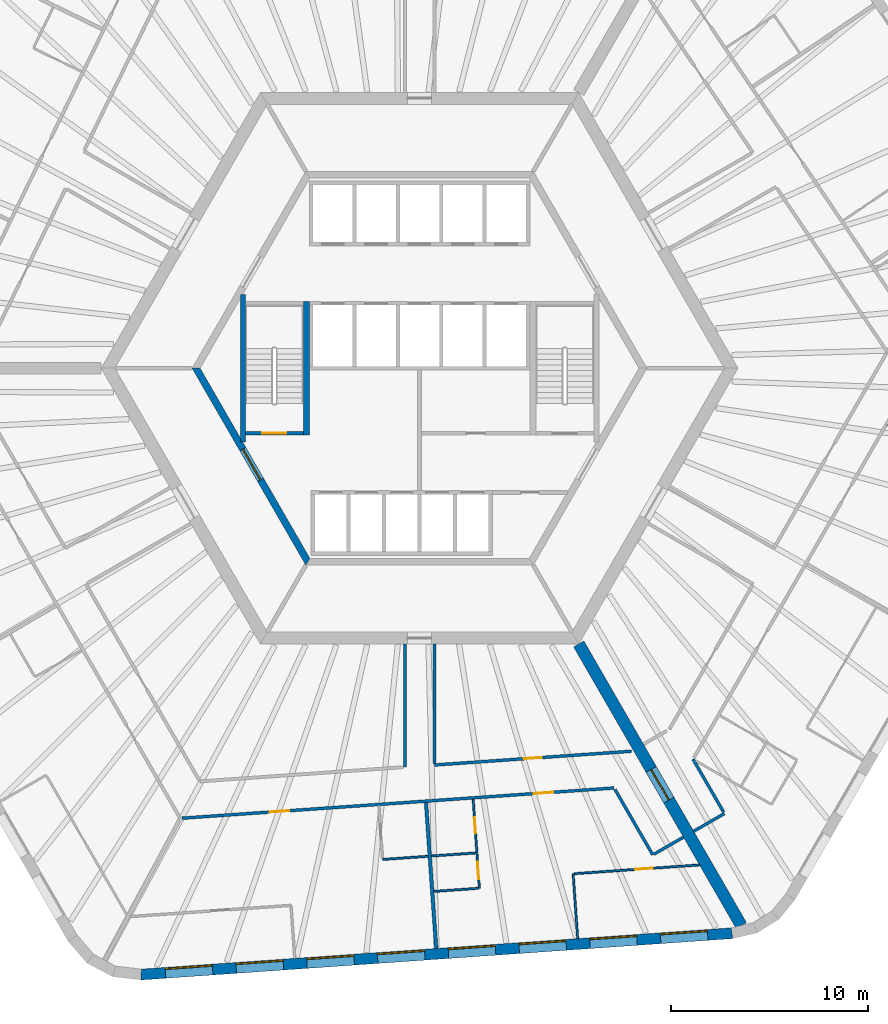
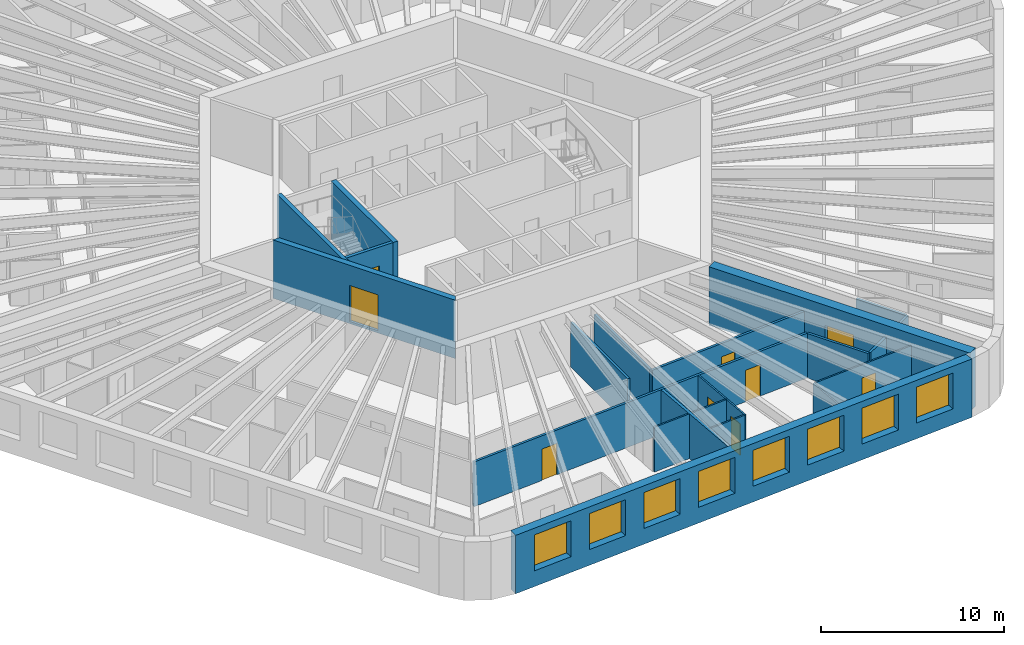
# One storey, part 4 of 12: 22 walls, 9 doors, 8 windows, 17 openings.
"""IFC4 building model written with IfcOpenShell, lengths in metres."""

from ifc_helpers import new_model, si_unit, direction, frame, frame_2d, origin, place, context, subcontext, project, spatial, polyline, rectangle, outline, extrude, material, layer, layer_set, type_object, element, fill, save


model = new_model("IFC4")

# Units and contexts
model_context = context("Model", 3, precision=1e-05, world=origin(), true_north=direction((0.0, 1.0)))
body_context = subcontext(model_context, "Body", "Model", "MODEL_VIEW")
ifc_project = project(units=[si_unit("LENGTHUNIT", "METRE"), si_unit("AREAUNIT", "SQUARE_METRE"), si_unit("VOLUMEUNIT", "CUBIC_METRE"), si_unit("PLANEANGLEUNIT", "RADIAN"), si_unit("MASSUNIT", "GRAM", prefix="KILO")], contexts=[model_context])

# Site, building, storey
site_placement = place(None, origin())
site = spatial("IfcSite", under=ifc_project, at=site_placement, CompositionType="ELEMENT")
building_placement = place(site_placement, origin())
building = spatial("IfcBuilding", under=site, at=building_placement, Name="Tarnside Tower", CompositionType="ELEMENT")
storey_placement = place(building_placement, frame((0.0, 0.0, 64.800048828125)))
storey = spatial("IfcBuildingStorey", under=building, at=storey_placement, Name="L13", CompositionType="ELEMENT", Elevation=64.800048828125)

# Wall
ifc_material_1 = material(Name="Gypsum board partition on steel studs", Category="steel")
ifc_layer_1 = layer(ifc_material_1, 0.10009765625)
ifc_layer_set_1 = layer_set([ifc_layer_1], Name="Bathroom wall 100")
wall_type_1 = type_object("IfcWallType", Name="Bathroom wall 100", PredefinedType="PARTITIONING", material=ifc_layer_set_1)
wall_1_placement = place(storey_placement, frame((0.428466796875, -24.780517578125, 0.0), z_axis=(0.0, 0.0, 1.0), x_axis=(-0.997563824095, -0.069759707979, 0.0)))
element("IfcWall", 1, at=wall_1_placement, inside=storey, type_object=wall_type_1, Name="Bathroom wall 03111", PredefinedType="PARTITIONING", context=body_context, shape_type="SweptSolid", body=[
    extrude(rectangle(XDim=2.309814453125, YDim=0.10009765625, at=frame_2d((1.15478515625, 0.0))), origin(), (0.0, 0.0, 1.0), 2.98779296875),
])

# Wall, opening, door
wall_2_placement = place(storey_placement, frame((2.722412109375, -21.888427734375, 0.0), z_axis=(0.0, 0.0, 1.0), x_axis=(0.069706086879, -0.997567572374, 0.0)))
wall_2 = element("IfcWall", 2, at=wall_2_placement, inside=storey, type_object=wall_type_1, Name="Bathroom wall 03118", PredefinedType="PARTITIONING", context=body_context, shape_type="SweptSolid", body=[
    extrude(rectangle(XDim=2.724853515625, YDim=0.10009765625, at=frame_2d((1.3623046875, 0.0))), origin(), (0.0, 0.0, 1.0), 2.98779296875),
])
opening_1_placement = place(wall_2_placement, frame((0.925048828125, 0.0, 0.0)))
opening_1 = element("IfcOpeningElement", 3, at=opening_1_placement, cuts=wall_2, Name="Opening D-B1", PredefinedType="OPENING", context=body_context, shape_type="SweptSolid", body=[
    extrude(rectangle(XDim=0.800048828125, YDim=2.10009765625, at=frame_2d((0.39990234375, 1.050048828125))), frame((0.0, 0.06005859375, 0.0), z_axis=(0.0, -1.0, 0.0), x_axis=(1.0, 0.0, 0.0)), (0.0, 0.0, 1.0), 0.1201171875),
])
ifc_material_2 = material(Name="Timber door leaf", Category="wood")
door_type_1 = type_object("IfcDoorType", Name="Bathroom door 800", OperationType="NOTDEFINED", PredefinedType="DOOR", material=ifc_material_2)
door_1_placement = place(opening_1_placement, origin())
door_1 = element("IfcDoor", 4, at=door_1_placement, inside=storey, type_object=door_type_1, Name="Bathroom door 03023", OperationType="SINGLE_SWING_RIGHT", OverallHeight=2.10009765625, OverallWidth=0.800048828125, PredefinedType="DOOR", context=body_context, shape_type="SweptSolid", body=[
    extrude(rectangle(XDim=0.800048828125, YDim=2.10009765625, at=frame_2d((0.39990234375, 1.050048828125))), frame((0.0, 0.02490234375, 0.0), z_axis=(0.0, -1.0, 0.0), x_axis=(1.0, 0.0, 0.0)), (0.0, 0.0, 1.0), 0.050048828125),
])
fill(opening_1, door_1)

# Wall
wall_3_placement = place(storey_placement, frame((0.608154296875, -24.767822265625, 0.0), z_axis=(0.0, 0.0, 1.0), x_axis=(0.997569341134, 0.069680769442, 0.0)))
element("IfcWall", 5, at=wall_3_placement, inside=storey, type_object=wall_type_1, Name="Bathroom wall 03123", PredefinedType="PARTITIONING", context=body_context, shape_type="SweptSolid", body=[
    extrude(rectangle(XDim=2.259765625, YDim=0.10009765625, at=frame_2d((1.1298828125, 0.0))), origin(), (0.0, 0.0, 1.0), 2.98779296875),
])

# Wall, opening, door
ifc_material_3 = material(Name="Concrete C50/60", Category="concrete")
ifc_layer_2 = layer(ifc_material_3, 0.35009765625)
ifc_layer_set_2 = layer_set([ifc_layer_2], Name="Core block wall 350 C50/60")
wall_type_2 = type_object("IfcWallType", Name="Core block wall 350 C50/60", PredefinedType="SHEAR", material=ifc_layer_set_2)
wall_4_placement = place(storey_placement, frame((-11.344970703125, 0.0, -0.150146484375), z_axis=(0.0, 0.0, 1.0), x_axis=(0.499995046907, -0.866028263435, 0.0)))
wall_4 = element("IfcWall", 6, at=wall_4_placement, inside=storey, type_object=wall_type_2, Name="L13 core block wall face 3", PredefinedType="SHEAR", context=body_context, shape_type="SweptSolid", body=[
    extrude(outline(polyline([(-0.10107421875, -0.175048828125), (11.44580078125, -0.175048828125), (11.24365234375, 0.175048828125), (0.10107421875, 0.175048828125), (-0.10107421875, -0.175048828125)])), origin(), (0.0, 0.0, 1.0), 3.900146484375),
])
opening_2_placement = place(wall_4_placement, frame((4.74365234375, 0.0, 0.14990234375)))
opening_2 = element("IfcOpeningElement", 7, at=opening_2_placement, cuts=wall_4, Name="Opening CD-FFL", PredefinedType="OPENING", context=body_context, shape_type="SweptSolid", body=[
    extrude(rectangle(XDim=1.800048828125, YDim=2.39990234375, at=frame_2d((0.89990234375, 1.199951171875))), frame((0.0, 0.18505859375, 0.0), z_axis=(0.0, -1.0, 0.0), x_axis=(1.0, 0.0, 0.0)), (0.0, 0.0, 1.0), 0.3701171875),
])
ifc_material_4 = material(Name="Steel fire door", Category="steel")
door_type_2 = type_object("IfcDoorType", Name="Firefighting lobby double door FD60S 1800x2400", OperationType="NOTDEFINED", PredefinedType="DOOR", material=ifc_material_4)
door_2_placement = place(opening_2_placement, origin())
door_2 = element("IfcDoor", 8, at=door_2_placement, inside=storey, type_object=door_type_2, Name="L13 lobby block door P3", OperationType="DOUBLE_DOOR_SINGLE_SWING", OverallHeight=2.39990234375, OverallWidth=1.800048828125, PredefinedType="DOOR", context=body_context, shape_type="SweptSolid", body=[
    extrude(rectangle(XDim=1.800048828125, YDim=2.39990234375, at=frame_2d((0.89990234375, 1.199951171875))), frame((0.0, 0.02490234375, 0.0), z_axis=(0.0, -1.0, 0.0), x_axis=(1.0, 0.0, 0.0)), (0.0, 0.0, 1.0), 0.050048828125),
])
fill(opening_2, door_2)

ifc_material_5 = material(Name="Concrete C80/95", Category="concrete")
ifc_layer_3 = layer(ifc_material_5, 0.60009765625)
ifc_layer_set_3 = layer_set([ifc_layer_3], Name="Core wall Z1 600 C80/95")
wall_type_3 = type_object("IfcWallType", Name="Core wall Z1 600 C80/95", PredefinedType="SHEAR", material=ifc_layer_set_3)
wall_5_placement = place(storey_placement, frame((8.0830078125, -14.0, -0.150146484375), z_axis=(0.0, 0.0, 1.0), x_axis=(0.499997680643, -0.866026742862, 0.0)))
wall_5 = element("IfcWall", 9, at=wall_5_placement, inside=storey, type_object=wall_type_3, Name="L13 spine wall 3", PredefinedType="SHEAR", context=body_context, shape_type="SweptSolid", body=[
    extrude(rectangle(XDim=16.5087890625, YDim=0.60009765625, at=frame_2d((8.25439453125, 0.0))), origin(), (0.0, 0.0, 1.0), 3.900146484375),
])
opening_3_placement = place(wall_5_placement, frame((7.3544921875, 0.0, 0.14990234375)))
opening_3 = element("IfcOpeningElement", 10, at=opening_3_placement, cuts=wall_5, Name="Opening CD-SPN", PredefinedType="OPENING", context=body_context, shape_type="SweptSolid", body=[
    extrude(rectangle(XDim=1.800048828125, YDim=2.39990234375, at=frame_2d((0.89990234375, 1.199951171875))), frame((0.0, 0.31005859375, 0.0), z_axis=(0.0, -1.0, 0.0), x_axis=(1.0, 0.0, 0.0)), (0.0, 0.0, 1.0), 0.6201171875),
])
door_type_3 = type_object("IfcDoorType", Name="Spine passage double door FD60 1800x2400", OperationType="NOTDEFINED", PredefinedType="DOOR", material=ifc_material_4)
door_3_placement = place(opening_3_placement, origin())
door_3 = element("IfcDoor", 11, at=door_3_placement, inside=storey, type_object=door_type_3, Name="L13 spine passage door 3", OperationType="DOUBLE_DOOR_SINGLE_SWING", OverallHeight=2.39990234375, OverallWidth=1.800048828125, PredefinedType="DOOR", context=body_context, shape_type="SweptSolid", body=[
    extrude(rectangle(XDim=1.800048828125, YDim=2.39990234375, at=frame_2d((0.89990234375, 1.199951171875))), frame((0.0, 0.02490234375, 0.0), z_axis=(0.0, -1.0, 0.0), x_axis=(1.0, 0.0, 0.0)), (0.0, 0.0, 1.0), 0.050048828125),
])
fill(opening_3, door_3)

# Wall, openings, doors
ifc_layer_4 = layer(ifc_material_1, 0.14990234375)
ifc_layer_set_4 = layer_set([ifc_layer_4], Name="Corridor wall 150 EI 60")
wall_type_4 = type_object("IfcWallType", Name="Corridor wall 150 EI 60", PredefinedType="PARTITIONING", material=ifc_layer_set_4)
wall_6_placement = place(storey_placement, frame((-12.068115234375, -22.847412109375, 0.0), z_axis=(0.0, 0.0, 1.0), x_axis=(0.99756437486, 0.069751831595, 0.0)))
wall_6 = element("IfcWall", 12, at=wall_6_placement, inside=storey, type_object=wall_type_4, Name="Corridor wall 03032", PredefinedType="PARTITIONING", context=body_context, shape_type="SweptSolid", body=[
    extrude(rectangle(XDim=22.001708984375, YDim=0.14990234375, at=frame_2d((11.0009765625, 0.0))), origin(), (0.0, 0.0, 1.0), 2.98779296875),
])
opening_4_placement = place(wall_6_placement, frame((4.468994140625, 0.0, 0.0)))
opening_4 = element("IfcOpeningElement", 13, at=opening_4_placement, cuts=wall_6, Name="Opening D-E1", PredefinedType="OPENING", context=body_context, shape_type="SweptSolid", body=[
    extrude(rectangle(XDim=1.0, YDim=2.10009765625, at=frame_2d((0.5, 1.050048828125))), frame((0.0, 0.0849609375, 0.0), z_axis=(0.0, -1.0, 0.0), x_axis=(1.0, 0.0, 0.0)), (0.0, 0.0, 1.0), 0.169921875),
])
opening_5_placement = place(wall_6_placement, frame((17.91162109375, 0.0, 0.0)))
opening_5 = element("IfcOpeningElement", 14, at=opening_5_placement, cuts=wall_6, Name="Opening D-E1", PredefinedType="OPENING", context=body_context, shape_type="SweptSolid", body=[
    extrude(rectangle(XDim=1.0, YDim=2.10009765625, at=frame_2d((0.5, 1.050048828125))), frame((0.0, 0.0849609375, 0.0), z_axis=(0.0, -1.0, 0.0), x_axis=(1.0, 0.0, 0.0)), (0.0, 0.0, 1.0), 0.169921875),
])
door_type_4 = type_object("IfcDoorType", Name="Unit entrance door 1000 FD30S", OperationType="NOTDEFINED", PredefinedType="DOOR", material=ifc_material_2)
door_4_placement = place(opening_4_placement, origin())
door_4 = element("IfcDoor", 15, at=door_4_placement, inside=storey, type_object=door_type_4, Name="Unit door 03019", OperationType="SINGLE_SWING_RIGHT", OverallHeight=2.10009765625, OverallWidth=1.0, PredefinedType="DOOR", context=body_context, shape_type="SweptSolid", body=[
    extrude(rectangle(XDim=1.0, YDim=2.10009765625, at=frame_2d((0.5, 1.050048828125))), frame((0.0, 0.02490234375, 0.0), z_axis=(0.0, -1.0, 0.0), x_axis=(1.0, 0.0, 0.0)), (0.0, 0.0, 1.0), 0.050048828125),
])
fill(opening_4, door_4)
door_5_placement = place(opening_5_placement, origin())
door_5 = element("IfcDoor", 16, at=door_5_placement, inside=storey, type_object=door_type_4, Name="Unit door 03022", OperationType="SINGLE_SWING_LEFT", OverallHeight=2.10009765625, OverallWidth=1.0, PredefinedType="DOOR", context=body_context, shape_type="SweptSolid", body=[
    extrude(rectangle(XDim=1.0, YDim=2.10009765625, at=frame_2d((0.5, 1.050048828125))), frame((0.0, 0.02490234375, 0.0), z_axis=(0.0, -1.0, 0.0), x_axis=(1.0, 0.0, 0.0)), (0.0, 0.0, 1.0), 0.050048828125),
])
fill(opening_5, door_5)

# Walls
wall_7_placement = place(storey_placement, frame((9.921630859375, -21.385009765625, 0.0), z_axis=(0.0, 0.0, 1.0), x_axis=(0.500023335103, -0.866011930837, 0.0)))
element("IfcWall", 17, at=wall_7_placement, inside=storey, type_object=wall_type_4, Name="Corridor wall 03035", PredefinedType="PARTITIONING", context=body_context, shape_type="SweptSolid", body=[
    extrude(rectangle(XDim=3.839599609375, YDim=0.14990234375, at=frame_2d((1.919921875, 0.0))), origin(), (0.0, 0.0, 1.0), 2.98779296875),
])
wall_8_placement = place(storey_placement, frame((11.906494140625, -24.672607421875, 0.0), z_axis=(0.0, 0.0, 1.0), x_axis=(0.866013532718, 0.500020560727, 0.0)))
element("IfcWall", 18, at=wall_8_placement, inside=storey, type_object=wall_type_4, Name="Corridor wall 03036", PredefinedType="PARTITIONING", context=body_context, shape_type="SweptSolid", body=[
    extrude(rectangle(XDim=1.72509765625, YDim=0.14990234375, at=frame_2d((0.862548828125, 0.0))), origin(), (0.0, 0.0, 1.0), 2.98779296875),
])
wall_9_placement = place(storey_placement, frame((-0.75, -14.0, 0.0), z_axis=(0.0, 0.0, 1.0), x_axis=(0.0, -1.0, 0.0)))
element("IfcWall", 19, at=wall_9_placement, inside=storey, type_object=wall_type_4, Name="Corridor wall 03041", PredefinedType="PARTITIONING", context=body_context, shape_type="SweptSolid", body=[
    extrude(rectangle(XDim=6.251708984375, YDim=0.14990234375, at=frame_2d((3.1259765625, 0.0))), origin(), (0.0, 0.0, 1.0), 2.98779296875),
])

# Wall, opening, door
wall_10_placement = place(storey_placement, frame((10.75439453125, -19.447265625, 0.0), z_axis=(0.0, 0.0, 1.0), x_axis=(-0.997564830966, -0.069745308232, 0.0)))
wall_10 = element("IfcWall", 20, at=wall_10_placement, inside=storey, type_object=wall_type_4, Name="Corridor wall 03045", PredefinedType="PARTITIONING", context=body_context, shape_type="SweptSolid", body=[
    extrude(rectangle(XDim=10.02880859375, YDim=0.14990234375, at=frame_2d((5.014404296875, 0.0))), origin(), (0.0, 0.0, 1.0), 2.98779296875),
])
opening_6_placement = place(wall_10_placement, frame((4.564453125, 0.0, 0.0)))
opening_6 = element("IfcOpeningElement", 21, at=opening_6_placement, cuts=wall_10, Name="Opening D-S1", PredefinedType="OPENING", context=body_context, shape_type="SweptSolid", body=[
    extrude(rectangle(XDim=0.89990234375, YDim=2.10009765625, at=frame_2d((0.449951171875, 1.050048828125))), frame((0.0, 0.0849609375, 0.0), z_axis=(0.0, -1.0, 0.0), x_axis=(1.0, 0.0, 0.0)), (0.0, 0.0, 1.0), 0.169921875),
])
door_type_5 = type_object("IfcDoorType", Name="Service room door 900 FD30S", OperationType="NOTDEFINED", PredefinedType="DOOR", material=ifc_material_2)
door_6_placement = place(opening_6_placement, origin())
door_6 = element("IfcDoor", 22, at=door_6_placement, inside=storey, type_object=door_type_5, Name="Service door 03044", OperationType="SINGLE_SWING_LEFT", OverallHeight=2.10009765625, OverallWidth=0.89990234375, PredefinedType="DOOR", context=body_context, shape_type="SweptSolid", body=[
    extrude(rectangle(XDim=0.89990234375, YDim=2.10009765625, at=frame_2d((0.449951171875, 1.050048828125))), frame((0.0, 0.02490234375, 0.0), z_axis=(0.0, -1.0, 0.0), x_axis=(1.0, 0.0, 0.0)), (0.0, 0.0, 1.0), 0.050048828125),
])
fill(opening_6, door_6)

# Walls
wall_11_placement = place(storey_placement, frame((0.75, -20.071533203125, 0.0), z_axis=(0.0, 0.0, 1.0), x_axis=(0.0, 1.0, 0.0)))
element("IfcWall", 23, at=wall_11_placement, inside=storey, type_object=wall_type_4, Name="Corridor wall 03046", PredefinedType="PARTITIONING", context=body_context, shape_type="SweptSolid", body=[
    extrude(rectangle(XDim=6.071533203125, YDim=0.14990234375, at=frame_2d((3.03564453125, 0.0))), origin(), (0.0, 0.0, 1.0), 2.98779296875),
])
wall_12_placement = place(storey_placement, frame((13.919921875, -23.510009765625, 0.0), z_axis=(0.0, 0.0, 1.0), x_axis=(0.866047807691, 0.499961193289, 0.0)))
element("IfcWall", 24, at=wall_12_placement, inside=storey, type_object=wall_type_4, Name="Corridor wall 03047", PredefinedType="PARTITIONING", context=body_context, shape_type="SweptSolid", body=[
    extrude(rectangle(XDim=1.800048828125, YDim=0.14990234375, at=frame_2d((0.89990234375, 0.0))), origin(), (0.0, 0.0, 1.0), 2.98779296875),
])
wall_13_placement = place(storey_placement, frame((15.44140625, -22.545166015625, 0.0), z_axis=(0.0, 0.0, 1.0), x_axis=(-0.500037089193, 0.86600398927, 0.0)))
element("IfcWall", 25, at=wall_13_placement, inside=storey, type_object=wall_type_4, Name="Corridor wall 03048", PredefinedType="PARTITIONING", context=body_context, shape_type="SweptSolid", body=[
    extrude(rectangle(XDim=3.112060546875, YDim=0.14990234375, at=frame_2d((1.55615234375, 0.0))), origin(), (0.0, 0.0, 1.0), 2.98779296875),
])
ifc_layer_5 = layer(ifc_material_1, 0.179931640625)
ifc_layer_set_5 = layer_set([ifc_layer_5], Name="Demising wall 180 EI 60")
wall_type_5 = type_object("IfcWallType", Name="Demising wall 180 EI 60", PredefinedType="PARTITIONING", material=ifc_layer_set_5)
wall_14_placement = place(storey_placement, frame((0.84619140625, -29.462646484375, 0.0), z_axis=(0.0, 0.0, 1.0), x_axis=(-0.069774810252, 0.997562767877, 0.0)))
element("IfcWall", 26, at=wall_14_placement, inside=storey, type_object=wall_type_5, Name="Demising wall 03115", PredefinedType="PARTITIONING", context=body_context, shape_type="SweptSolid", body=[
    extrude(rectangle(XDim=7.4248046875, YDim=0.179931640625, at=frame_2d((3.71240234375, 0.0))), origin(), (0.0, 0.0, 1.0), 2.98779296875),
])

# Wall, opening, door
ifc_material_6 = material(Name="Concrete C40/50", Category="concrete")
ifc_layer_6 = layer(ifc_material_6, 0.199951171875)
ifc_layer_set_6 = layer_set([ifc_layer_6], Name="Lift shaft wall 200 C40/50")
wall_type_6 = type_object("IfcWallType", Name="Lift shaft wall 200 C40/50", PredefinedType="SHEAR", material=ifc_layer_set_6)
wall_15_placement = place(storey_placement, frame((-8.85009765625, -3.300048828125, -0.25), z_axis=(0.0, 0.0, 1.0), x_axis=(1.0, 0.0, 0.0)))
wall_15 = element("IfcWall", 27, at=wall_15_placement, inside=storey, type_object=wall_type_6, Name="L13 stair 2 enclosure cap wall s", PredefinedType="SHEAR", context=body_context, shape_type="SweptSolid", body=[
    extrude(rectangle(XDim=2.9501953125, YDim=0.199951171875, at=frame_2d((1.47509765625, 0.0))), origin(), (0.0, 0.0, 1.0), 3.89990234375),
])
opening_7_placement = place(wall_15_placement, frame((0.875, 0.0, 0.25)))
opening_7 = element("IfcOpeningElement", 28, at=opening_7_placement, cuts=wall_15, Name="Opening CD-STR", PredefinedType="OPENING", context=body_context, shape_type="SweptSolid", body=[
    extrude(rectangle(XDim=1.199951171875, YDim=2.39990234375, at=frame_2d((0.60009765625, 1.199951171875))), frame((0.0, 0.10986328125, 0.0), z_axis=(0.0, -1.0, 0.0), x_axis=(1.0, 0.0, 0.0)), (0.0, 0.0, 1.0), 0.219970703125),
])
door_type_6 = type_object("IfcDoorType", Name="Stair door FD60S 1200x2400", OperationType="NOTDEFINED", PredefinedType="DOOR", material=ifc_material_4)
door_7_placement = place(opening_7_placement, origin())
door_7 = element("IfcDoor", 29, at=door_7_placement, inside=storey, type_object=door_type_6, Name="L13 stair 2 door", OperationType="SINGLE_SWING_LEFT", OverallHeight=2.39990234375, OverallWidth=1.199951171875, PredefinedType="DOOR", context=body_context, shape_type="SweptSolid", body=[
    extrude(rectangle(XDim=1.199951171875, YDim=2.39990234375, at=frame_2d((0.60009765625, 1.199951171875))), frame((0.0, 0.02490234375, 0.0), z_axis=(0.0, -1.0, 0.0), x_axis=(1.0, 0.0, 0.0)), (0.0, 0.0, 1.0), 0.050048828125),
])
fill(opening_7, door_7)

ifc_layer_7 = layer(ifc_material_1, 0.10009765625)
ifc_layer_set_7 = layer_set([ifc_layer_7], Name="Partition 100")
wall_type_7 = type_object("IfcWallType", Name="Partition 100", PredefinedType="PARTITIONING", material=ifc_layer_set_7)
wall_16_placement = place(storey_placement, frame((2.916015625, -24.65673828125, 0.0), z_axis=(0.0, 0.0, 1.0), x_axis=(0.069759707979, -0.997563824095, 0.0)))
wall_16 = element("IfcWall", 30, at=wall_16_placement, inside=storey, type_object=wall_type_7, Name="Partition wall 03119", PredefinedType="PARTITIONING", context=body_context, shape_type="SweptSolid", body=[
    extrude(rectangle(XDim=1.749755859375, YDim=0.10009765625, at=frame_2d((0.875, 0.0))), origin(), (0.0, 0.0, 1.0), 2.98779296875),
])
opening_8_placement = place(wall_16_placement, frame((0.39990234375, 0.0, 0.0)))
opening_8 = element("IfcOpeningElement", 31, at=opening_8_placement, cuts=wall_16, Name="Opening D-I1", PredefinedType="OPENING", context=body_context, shape_type="SweptSolid", body=[
    extrude(rectangle(XDim=0.89990234375, YDim=2.10009765625, at=frame_2d((0.449951171875, 1.050048828125))), frame((0.0, 0.06005859375, 0.0), z_axis=(0.0, -1.0, 0.0), x_axis=(1.0, 0.0, 0.0)), (0.0, 0.0, 1.0), 0.1201171875),
])
door_type_7 = type_object("IfcDoorType", Name="Internal door 900", OperationType="NOTDEFINED", PredefinedType="DOOR", material=ifc_material_2)
door_8_placement = place(opening_8_placement, origin())
door_8 = element("IfcDoor", 32, at=door_8_placement, inside=storey, type_object=door_type_7, Name="Internal door 03024", OperationType="SINGLE_SWING_RIGHT", OverallHeight=2.10009765625, OverallWidth=0.89990234375, PredefinedType="DOOR", context=body_context, shape_type="SweptSolid", body=[
    extrude(rectangle(XDim=0.89990234375, YDim=2.10009765625, at=frame_2d((0.449951171875, 1.050048828125))), frame((0.0, 0.02490234375, 0.0), z_axis=(0.0, -1.0, 0.0), x_axis=(1.0, 0.0, 0.0)), (0.0, 0.0, 1.0), 0.050048828125),
])
fill(opening_8, door_8)

# Walls
wall_17_placement = place(storey_placement, frame((2.988037109375, -26.40576171875, 0.0), z_axis=(0.0, 0.0, 1.0), x_axis=(-0.997561825928, -0.069788275888, 0.0)))
element("IfcWall", 33, at=wall_17_placement, inside=storey, type_object=wall_type_7, Name="Partition wall 03120", PredefinedType="PARTITIONING", context=body_context, shape_type="SweptSolid", body=[
    extrude(rectangle(XDim=2.260009765625, YDim=0.10009765625, at=frame_2d((1.1298828125, 0.0))), origin(), (0.0, 0.0, 1.0), 2.98779296875),
])
wall_18_placement = place(storey_placement, frame((8.028564453125, -28.96044921875, 0.0), z_axis=(0.0, 0.0, 1.0), x_axis=(-0.069764341483, 0.997563500063, 0.0)))
element("IfcWall", 34, at=wall_18_placement, inside=storey, type_object=wall_type_7, Name="Partition wall 03121", PredefinedType="PARTITIONING", context=body_context, shape_type="SweptSolid", body=[
    extrude(rectangle(XDim=3.300048828125, YDim=0.10009765625, at=frame_2d((1.64990234375, 0.0))), origin(), (0.0, 0.0, 1.0), 2.98779296875),
])

# Wall, opening, door
wall_19_placement = place(storey_placement, frame((7.848388671875, -25.6650390625, 0.0), z_axis=(0.0, 0.0, 1.0), x_axis=(0.997564959643, 0.069743467744, 0.0)))
wall_19 = element("IfcWall", 35, at=wall_19_placement, inside=storey, type_object=wall_type_7, Name="Partition wall 03122", PredefinedType="PARTITIONING", context=body_context, shape_type="SweptSolid", body=[
    extrude(rectangle(XDim=6.381591796875, YDim=0.10009765625, at=frame_2d((3.19091796875, 0.0))), origin(), (0.0, 0.0, 1.0), 2.98779296875),
])
opening_9_placement = place(wall_19_placement, frame((3.10009765625, 0.0, 0.0)))
opening_9 = element("IfcOpeningElement", 36, at=opening_9_placement, cuts=wall_19, Name="Opening D-I1", PredefinedType="OPENING", context=body_context, shape_type="SweptSolid", body=[
    extrude(rectangle(XDim=0.89990234375, YDim=2.10009765625, at=frame_2d((0.449951171875, 1.050048828125))), frame((0.0, 0.06005859375, 0.0), z_axis=(0.0, -1.0, 0.0), x_axis=(1.0, 0.0, 0.0)), (0.0, 0.0, 1.0), 0.1201171875),
])
door_9_placement = place(opening_9_placement, origin())
door_9 = element("IfcDoor", 37, at=door_9_placement, inside=storey, type_object=door_type_7, Name="Internal door 03025", OperationType="SINGLE_SWING_LEFT", OverallHeight=2.10009765625, OverallWidth=0.89990234375, PredefinedType="DOOR", context=body_context, shape_type="SweptSolid", body=[
    extrude(rectangle(XDim=0.89990234375, YDim=2.10009765625, at=frame_2d((0.449951171875, 1.050048828125))), frame((0.0, 0.02490234375, 0.0), z_axis=(0.0, -1.0, 0.0), x_axis=(1.0, 0.0, 0.0)), (0.0, 0.0, 1.0), 0.050048828125),
])
fill(opening_9, door_9)

# Walls
ifc_layer_8 = layer(ifc_material_6, 0.25)
ifc_layer_set_8 = layer_set([ifc_layer_8], Name="Stair enclosure wall 250 C40/50")
wall_type_8 = type_object("IfcWallType", Name="Stair enclosure wall 250 C40/50", PredefinedType="SHEAR", material=ifc_layer_set_8)
wall_20_placement = place(storey_placement, frame((-8.97509765625, -3.7548828125, -0.25), z_axis=(0.0, 0.0, 1.0), x_axis=(0.0, 1.0, 0.0)))
element("IfcWall", 38, at=wall_20_placement, inside=storey, type_object=wall_type_8, Name="L13 stair 2 enclosure wall outer", PredefinedType="SHEAR", context=body_context, shape_type="SweptSolid", body=[
    extrude(rectangle(XDim=7.509765625, YDim=0.25, at=frame_2d((3.7548828125, 0.0))), origin(), (0.0, 0.0, 1.0), 3.89990234375),
])
ifc_layer_9 = layer(ifc_material_6, 0.300048828125)
ifc_layer_set_9 = layer_set([ifc_layer_9], Name="Stair enclosure wall 300 C40/50")
wall_type_9 = type_object("IfcWallType", Name="Stair enclosure wall 300 C40/50", PredefinedType="SHEAR", material=ifc_layer_set_9)
wall_21_placement = place(storey_placement, frame((-5.75, -3.39990234375, -0.25), z_axis=(0.0, 0.0, 1.0), x_axis=(0.0, 1.0, 0.0)))
element("IfcWall", 39, at=wall_21_placement, inside=storey, type_object=wall_type_9, Name="L13 stair 2 enclosure wall inner", PredefinedType="SHEAR", context=body_context, shape_type="SweptSolid", body=[
    extrude(rectangle(XDim=6.7998046875, YDim=0.300048828125, at=frame_2d((3.39990234375, 0.0))), origin(), (0.0, 0.0, 1.0), 3.89990234375),
])

# Wall, openings, windows
ifc_material_7 = material(Name="Facing brick", Category="masonry")
ifc_layer_10 = layer(ifc_material_7, 0.10205078125)
ifc_material_8 = material(Name="Concrete C60/75 precast", Category="concrete")
ifc_layer_11 = layer(ifc_material_8, 0.347900390625)
ifc_material_9 = material(Name="Mineral wool insulation")
ifc_layer_12 = layer(ifc_material_9, 0.10009765625)
ifc_layer_set_10 = layer_set([ifc_layer_10, ifc_layer_11, ifc_layer_12], Name="Tube wall 550 brick faced")
wall_type_10 = type_object("IfcWallType", Name="Tube wall 550 brick faced", PredefinedType="SOLIDWALL", material=ifc_layer_set_10)
wall_22_placement = place(storey_placement, frame((-14.133544921875, -30.785888671875, -0.150146484375), z_axis=(0.0, 0.0, 1.0), x_axis=(0.997564037441, 0.069756657061, 0.0)))
wall_22 = element("IfcWall", 40, at=wall_22_placement, inside=storey, type_object=wall_type_10, Name="Tube wall L13 F4 flush 12", PredefinedType="SOLIDWALL", context=body_context, shape_type="SweptSolid", body=[
    extrude(outline(polyline([(-0.025634765625, -0.27490234375), (30.093505859375, -0.27490234375), (30.048583984375, 0.27490234375), (0.025634765625, 0.27490234375), (-0.025634765625, -0.27490234375)])), origin(), (0.0, 0.0, 1.0), 3.900146484375),
])
opening_10_placement = place(wall_22_placement, frame((1.235595703125, 0.0, 1.050048828125)))
opening_10 = element("IfcOpeningElement", 41, at=opening_10_placement, cuts=wall_22, Name="Opening WH", PredefinedType="OPENING", context=body_context, shape_type="SweptSolid", body=[
    extrude(rectangle(XDim=2.39990234375, YDim=2.39990234375, at=frame_2d((1.199951171875, 1.199951171875))), frame((0.0, 0.28515625, 0.0), z_axis=(0.0, -1.0, 0.0), x_axis=(1.0, 0.0, 0.0)), (0.0, 0.0, 1.0), 0.570068359375),
])
opening_11_placement = place(wall_22_placement, frame((4.83544921875, 0.0, 1.050048828125)))
opening_11 = element("IfcOpeningElement", 42, at=opening_11_placement, cuts=wall_22, Name="Opening WH", PredefinedType="OPENING", context=body_context, shape_type="SweptSolid", body=[
    extrude(rectangle(XDim=2.39990234375, YDim=2.39990234375, at=frame_2d((1.199951171875, 1.199951171875))), frame((0.0, 0.28515625, 0.0), z_axis=(0.0, -1.0, 0.0), x_axis=(1.0, 0.0, 0.0)), (0.0, 0.0, 1.0), 0.570068359375),
])
opening_12_placement = place(wall_22_placement, frame((8.435546875, 0.0, 1.050048828125)))
opening_12 = element("IfcOpeningElement", 43, at=opening_12_placement, cuts=wall_22, Name="Opening WH", PredefinedType="OPENING", context=body_context, shape_type="SweptSolid", body=[
    extrude(rectangle(XDim=2.39990234375, YDim=2.39990234375, at=frame_2d((1.199951171875, 1.199951171875))), frame((0.0, 0.28515625, 0.0), z_axis=(0.0, -1.0, 0.0), x_axis=(1.0, 0.0, 0.0)), (0.0, 0.0, 1.0), 0.570068359375),
])
opening_13_placement = place(wall_22_placement, frame((12.035400390625, 0.0, 1.050048828125)))
opening_13 = element("IfcOpeningElement", 44, at=opening_13_placement, cuts=wall_22, Name="Opening WH", PredefinedType="OPENING", context=body_context, shape_type="SweptSolid", body=[
    extrude(rectangle(XDim=2.39990234375, YDim=2.39990234375, at=frame_2d((1.199951171875, 1.199951171875))), frame((0.0, 0.28515625, 0.0), z_axis=(0.0, -1.0, 0.0), x_axis=(1.0, 0.0, 0.0)), (0.0, 0.0, 1.0), 0.570068359375),
])
opening_14_placement = place(wall_22_placement, frame((15.635498046875, 0.0, 1.050048828125)))
opening_14 = element("IfcOpeningElement", 45, at=opening_14_placement, cuts=wall_22, Name="Opening WH", PredefinedType="OPENING", context=body_context, shape_type="SweptSolid", body=[
    extrude(rectangle(XDim=2.39990234375, YDim=2.39990234375, at=frame_2d((1.199951171875, 1.199951171875))), frame((0.0, 0.28515625, 0.0), z_axis=(0.0, -1.0, 0.0), x_axis=(1.0, 0.0, 0.0)), (0.0, 0.0, 1.0), 0.570068359375),
])
opening_15_placement = place(wall_22_placement, frame((19.235595703125, 0.0, 1.050048828125)))
opening_15 = element("IfcOpeningElement", 46, at=opening_15_placement, cuts=wall_22, Name="Opening WH", PredefinedType="OPENING", context=body_context, shape_type="SweptSolid", body=[
    extrude(rectangle(XDim=2.39990234375, YDim=2.39990234375, at=frame_2d((1.199951171875, 1.199951171875))), frame((0.0, 0.28515625, 0.0), z_axis=(0.0, -1.0, 0.0), x_axis=(1.0, 0.0, 0.0)), (0.0, 0.0, 1.0), 0.570068359375),
])
opening_16_placement = place(wall_22_placement, frame((22.83544921875, 0.0, 1.050048828125)))
opening_16 = element("IfcOpeningElement", 47, at=opening_16_placement, cuts=wall_22, Name="Opening WH", PredefinedType="OPENING", context=body_context, shape_type="SweptSolid", body=[
    extrude(rectangle(XDim=2.39990234375, YDim=2.39990234375, at=frame_2d((1.199951171875, 1.199951171875))), frame((0.0, 0.28515625, 0.0), z_axis=(0.0, -1.0, 0.0), x_axis=(1.0, 0.0, 0.0)), (0.0, 0.0, 1.0), 0.570068359375),
])
opening_17_placement = place(wall_22_placement, frame((26.435546875, 0.0, 1.050048828125)))
opening_17 = element("IfcOpeningElement", 48, at=opening_17_placement, cuts=wall_22, Name="Opening WH", PredefinedType="OPENING", context=body_context, shape_type="SweptSolid", body=[
    extrude(rectangle(XDim=2.39990234375, YDim=2.39990234375, at=frame_2d((1.199951171875, 1.199951171875))), frame((0.0, 0.28515625, 0.0), z_axis=(0.0, -1.0, 0.0), x_axis=(1.0, 0.0, 0.0)), (0.0, 0.0, 1.0), 0.570068359375),
])
ifc_material_10 = material(Name="Aluminium-framed double glazing", Category="aluminium")
window_type = type_object("IfcWindowType", Name="Hotel window 2400 x 2400", PartitioningType="DOUBLE_PANEL_VERTICAL", PredefinedType="WINDOW", material=ifc_material_10)
window_1_placement = place(opening_10_placement, frame((0.0, 0.205078125, 0.0)))
window_1 = element("IfcWindow", 49, at=window_1_placement, inside=storey, type_object=window_type, Name="E.WN.L13.F4.00", OverallHeight=2.39990234375, OverallWidth=2.39990234375, PartitioningType="DOUBLE_PANEL_VERTICAL", PredefinedType="WINDOW", context=body_context, shape_type="SweptSolid", body=[
    extrude(rectangle(XDim=2.39990234375, YDim=2.39990234375, at=frame_2d((1.199951171875, 1.199951171875))), frame((0.0, 0.030029296875, 0.0), z_axis=(0.0, -1.0, 0.0), x_axis=(1.0, 0.0, 0.0)), (0.0, 0.0, 1.0), 0.06005859375),
])
fill(opening_10, window_1)
window_2_placement = place(opening_11_placement, frame((0.0, 0.205078125, 0.0)))
window_2 = element("IfcWindow", 50, at=window_2_placement, inside=storey, type_object=window_type, Name="E.WN.L13.F4.01", OverallHeight=2.39990234375, OverallWidth=2.39990234375, PartitioningType="DOUBLE_PANEL_VERTICAL", PredefinedType="WINDOW", context=body_context, shape_type="SweptSolid", body=[
    extrude(rectangle(XDim=2.39990234375, YDim=2.39990234375, at=frame_2d((1.199951171875, 1.199951171875))), frame((0.0, 0.030029296875, 0.0), z_axis=(0.0, -1.0, 0.0), x_axis=(1.0, 0.0, 0.0)), (0.0, 0.0, 1.0), 0.06005859375),
])
fill(opening_11, window_2)
window_3_placement = place(opening_12_placement, frame((0.0, 0.205078125, 0.0)))
window_3 = element("IfcWindow", 51, at=window_3_placement, inside=storey, type_object=window_type, Name="E.WN.L13.F4.02", OverallHeight=2.39990234375, OverallWidth=2.39990234375, PartitioningType="DOUBLE_PANEL_VERTICAL", PredefinedType="WINDOW", context=body_context, shape_type="SweptSolid", body=[
    extrude(rectangle(XDim=2.39990234375, YDim=2.39990234375, at=frame_2d((1.199951171875, 1.199951171875))), frame((0.0, 0.030029296875, 0.0), z_axis=(0.0, -1.0, 0.0), x_axis=(1.0, 0.0, 0.0)), (0.0, 0.0, 1.0), 0.06005859375),
])
fill(opening_12, window_3)
window_4_placement = place(opening_13_placement, frame((0.0, 0.205078125, 0.0)))
window_4 = element("IfcWindow", 52, at=window_4_placement, inside=storey, type_object=window_type, Name="E.WN.L13.F4.03", OverallHeight=2.39990234375, OverallWidth=2.39990234375, PartitioningType="DOUBLE_PANEL_VERTICAL", PredefinedType="WINDOW", context=body_context, shape_type="SweptSolid", body=[
    extrude(rectangle(XDim=2.39990234375, YDim=2.39990234375, at=frame_2d((1.199951171875, 1.199951171875))), frame((0.0, 0.030029296875, 0.0), z_axis=(0.0, -1.0, 0.0), x_axis=(1.0, 0.0, 0.0)), (0.0, 0.0, 1.0), 0.06005859375),
])
fill(opening_13, window_4)
window_5_placement = place(opening_14_placement, frame((0.0, 0.205078125, 0.0)))
window_5 = element("IfcWindow", 53, at=window_5_placement, inside=storey, type_object=window_type, Name="E.WN.L13.F4.04", OverallHeight=2.39990234375, OverallWidth=2.39990234375, PartitioningType="DOUBLE_PANEL_VERTICAL", PredefinedType="WINDOW", context=body_context, shape_type="SweptSolid", body=[
    extrude(rectangle(XDim=2.39990234375, YDim=2.39990234375, at=frame_2d((1.199951171875, 1.199951171875))), frame((0.0, 0.030029296875, 0.0), z_axis=(0.0, -1.0, 0.0), x_axis=(1.0, 0.0, 0.0)), (0.0, 0.0, 1.0), 0.06005859375),
])
fill(opening_14, window_5)
window_6_placement = place(opening_15_placement, frame((0.0, 0.205078125, 0.0)))
window_6 = element("IfcWindow", 54, at=window_6_placement, inside=storey, type_object=window_type, Name="E.WN.L13.F4.05", OverallHeight=2.39990234375, OverallWidth=2.39990234375, PartitioningType="DOUBLE_PANEL_VERTICAL", PredefinedType="WINDOW", context=body_context, shape_type="SweptSolid", body=[
    extrude(rectangle(XDim=2.39990234375, YDim=2.39990234375, at=frame_2d((1.199951171875, 1.199951171875))), frame((0.0, 0.030029296875, 0.0), z_axis=(0.0, -1.0, 0.0), x_axis=(1.0, 0.0, 0.0)), (0.0, 0.0, 1.0), 0.06005859375),
])
fill(opening_15, window_6)
window_7_placement = place(opening_16_placement, frame((0.0, 0.205078125, 0.0)))
window_7 = element("IfcWindow", 55, at=window_7_placement, inside=storey, type_object=window_type, Name="E.WN.L13.F4.06", OverallHeight=2.39990234375, OverallWidth=2.39990234375, PartitioningType="DOUBLE_PANEL_VERTICAL", PredefinedType="WINDOW", context=body_context, shape_type="SweptSolid", body=[
    extrude(rectangle(XDim=2.39990234375, YDim=2.39990234375, at=frame_2d((1.199951171875, 1.199951171875))), frame((0.0, 0.030029296875, 0.0), z_axis=(0.0, -1.0, 0.0), x_axis=(1.0, 0.0, 0.0)), (0.0, 0.0, 1.0), 0.06005859375),
])
fill(opening_16, window_7)
window_8_placement = place(opening_17_placement, frame((0.0, 0.205078125, 0.0)))
window_8 = element("IfcWindow", 56, at=window_8_placement, inside=storey, type_object=window_type, Name="E.WN.L13.F4.07", OverallHeight=2.39990234375, OverallWidth=2.39990234375, PartitioningType="DOUBLE_PANEL_VERTICAL", PredefinedType="WINDOW", context=body_context, shape_type="SweptSolid", body=[
    extrude(rectangle(XDim=2.39990234375, YDim=2.39990234375, at=frame_2d((1.199951171875, 1.199951171875))), frame((0.0, 0.030029296875, 0.0), z_axis=(0.0, -1.0, 0.0), x_axis=(1.0, 0.0, 0.0)), (0.0, 0.0, 1.0), 0.06005859375),
])
fill(opening_17, window_8)

save(model, "model.ifc")
